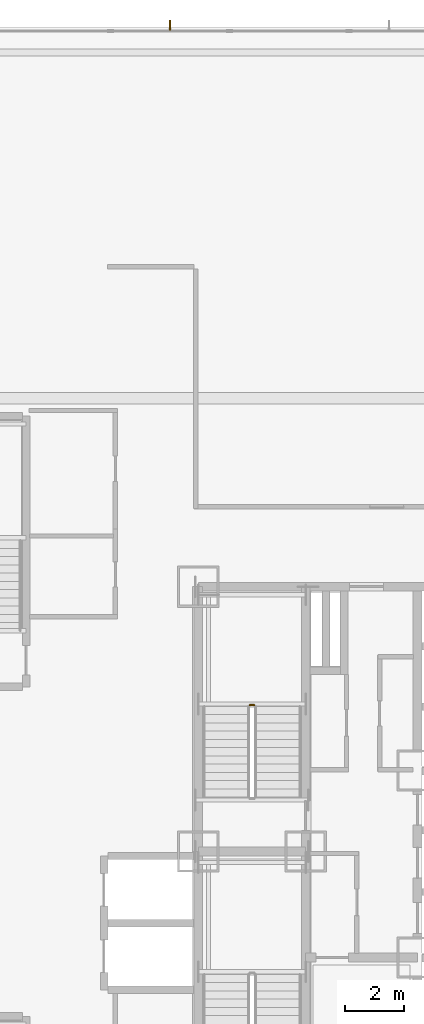
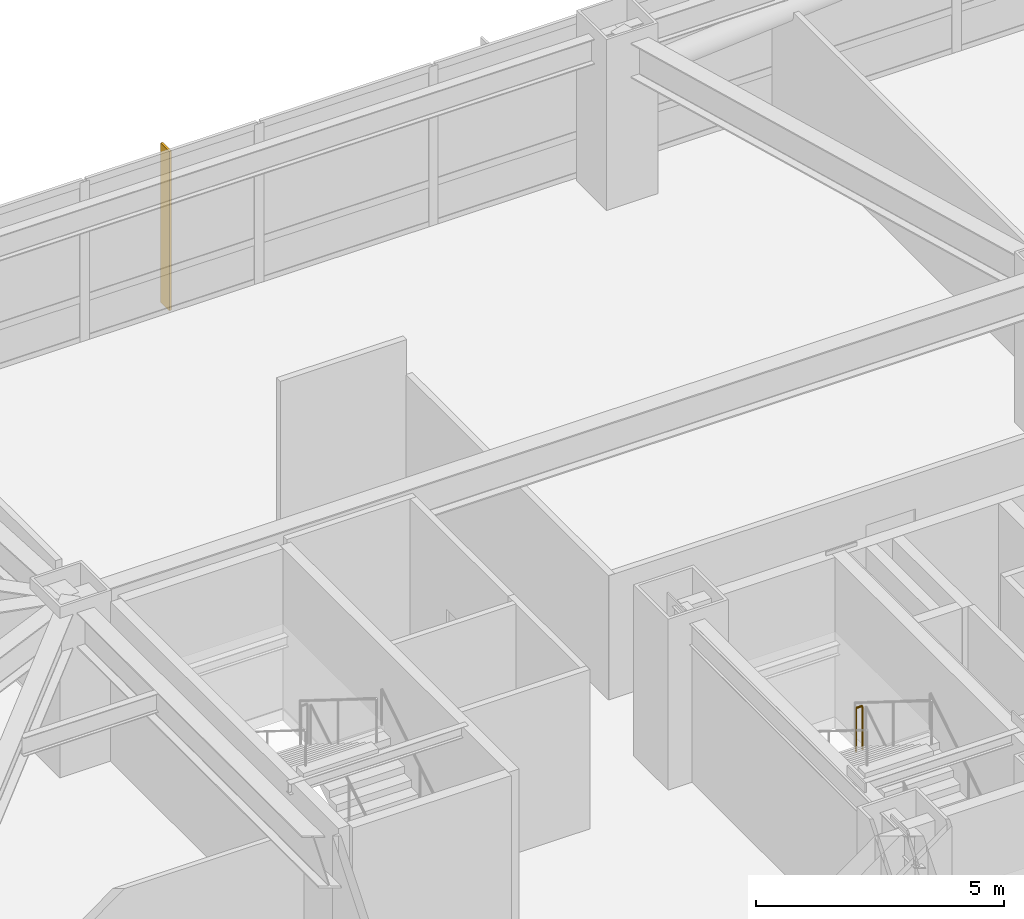
# One storey, part 23 of 24: 1 railing, 1 shading device.
"""IFC4 building model written with IfcOpenShell, lengths in metres."""

from ifc_helpers import new_model, si_unit, direction, frame, origin, origin_2d, place, context, subcontext, project, spatial, rectangle, circle, extrude, material, type_object, element, save


model = new_model("IFC4")

# Units and contexts
model_context = context("Model", 3, precision=1e-05, world=origin(), true_north=direction((0.0, 1.0)))
body_context = subcontext(model_context, "Body", "Model", "MODEL_VIEW")
ifc_project = project(units=[si_unit("LENGTHUNIT", "METRE"), si_unit("AREAUNIT", "SQUARE_METRE"), si_unit("VOLUMEUNIT", "CUBIC_METRE"), si_unit("PLANEANGLEUNIT", "RADIAN"), si_unit("MASSUNIT", "GRAM", prefix="KILO")], contexts=[model_context])

# Site, building, storey
site_placement = place(None, origin())
site = spatial("IfcSite", under=ifc_project, at=site_placement, CompositionType="ELEMENT")
building_placement = place(site_placement, origin())
building = spatial("IfcBuilding", under=site, at=building_placement, Name="Khamvora Tower", CompositionType="ELEMENT")
storey_placement = place(building_placement, frame((0.0, 0.0, 20.39990234375)))
storey = spatial("IfcBuildingStorey", under=building, at=storey_placement, Name="L04", CompositionType="ELEMENT", Elevation=20.39990234375)

# Railing
ifc_material_1 = material(Name="Stainless Steel 316", Category="steel")
railing_type = type_object("IfcRailingType", Name="RAL-STG-1100", PredefinedType="GUARDRAIL", material=ifc_material_1)
railing_placement = place(storey_placement, frame((30.89990234375, 32.97998046875, 2.10009765625)))
element("IfcRailing", 1, at=railing_placement, inside=storey, type_object=railing_type, Name="L04 ST-02 stair guard 2", PredefinedType="GUARDRAIL", context=body_context, shape_type="SweptSolid", body=[
    extrude(circle(Radius=0.02392578125, at=origin_2d()), frame((0.0, 0.0, 1.076171875), z_axis=(-1.0, 0.0, 0.0), x_axis=(0.0, -1.0, 0.0)), (0.0, 0.0, 1.0), 0.14990234375),
    extrude(circle(Radius=0.02099609375, at=origin_2d()), origin(), (0.0, 0.0, 1.0), 1.052001953125),
    extrude(circle(Radius=0.02099609375, at=origin_2d()), frame((-0.14990234375, 0.0, 0.0)), (0.0, 0.0, 1.0), 1.052001953125),
])

# Shading device
ifc_material_2 = material(Name="Anodised Bronze Aluminium 6063-T6", Category="aluminium")
shading_device_type = type_object("IfcShadingDeviceType", Name="SHD-FIN-350", PredefinedType="USERDEFINED", material=ifc_material_2)
shading_device_placement = place(storey_placement, frame((28.0390625, 56.077880859375, 0.000244140625), z_axis=(0.0, 0.0, 1.0), x_axis=(1.0, 0.0, 0.0)))
element("IfcShadingDevice", 2, at=shading_device_placement, inside=storey, type_object=shading_device_type, Name="L04 anodised bronze solar fin 07.03", ObjectType="FIN", PredefinedType="USERDEFINED", context=body_context, shape_type="SweptSolid", body=[
    extrude(rectangle(XDim=0.054931640625, YDim=0.35009765625, at=origin_2d()), origin(), (0.0, 0.0, 1.0), 3.919921875),
])

save(model, "model.ifc")
